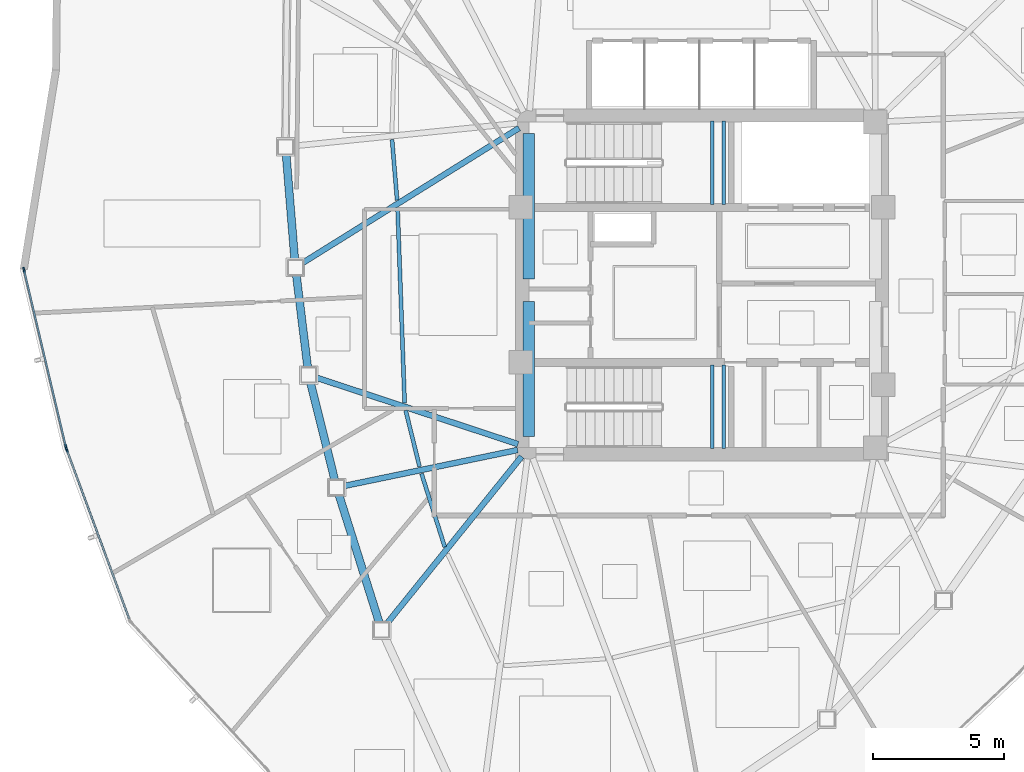
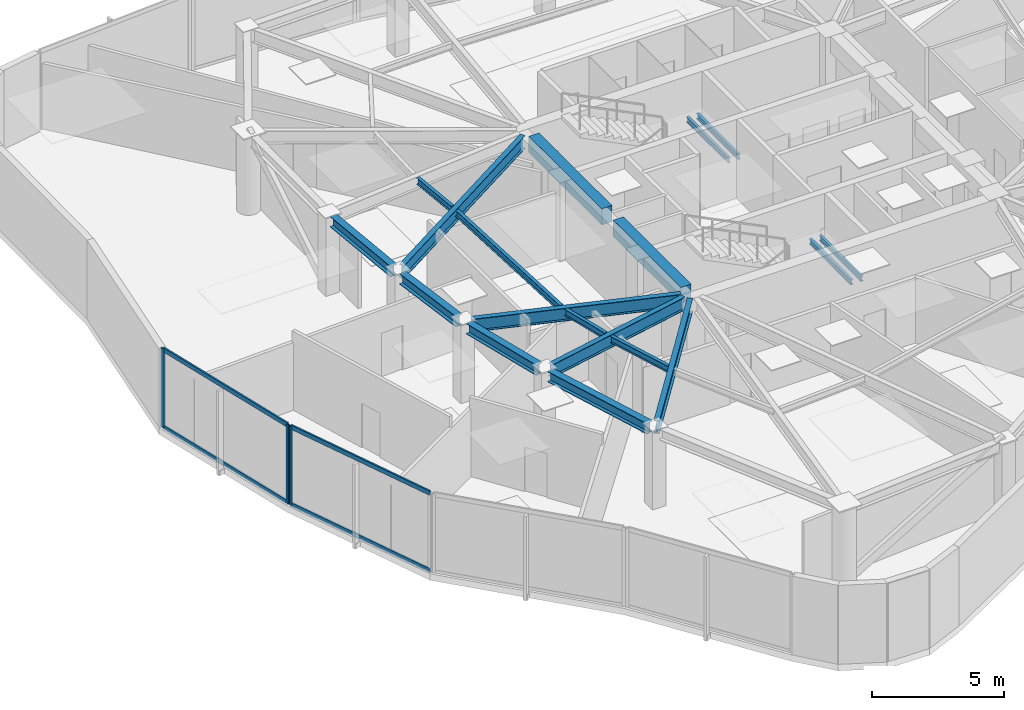
# One storey, part 3 of 13: 18 beams, 7 members, 2 elements without a shape of their own.
"""IFC4 building model written with IfcOpenShell, lengths in metres."""

from ifc_helpers import new_model, si_unit, direction, frame, origin, origin_2d, place, context, subcontext, project, spatial, rectangle, hollow_rectangle, i_section, extrude, source, transform, mapped, material, layer, layer_set, material_profile, profile_set, type_object, type_shapes, element, aggregate, save


model = new_model("IFC4")

# Units and contexts
model_context = context("Model", 3, precision=1e-05, world=origin(), true_north=direction((0.0, 1.0)))
body_context = subcontext(model_context, "Body", "Model", "MODEL_VIEW")
ifc_project = project(units=[si_unit("LENGTHUNIT", "METRE"), si_unit("AREAUNIT", "SQUARE_METRE"), si_unit("VOLUMEUNIT", "CUBIC_METRE"), si_unit("PLANEANGLEUNIT", "RADIAN"), si_unit("MASSUNIT", "GRAM", prefix="KILO")], contexts=[model_context])

# Site, building, storey
site_placement = place(None, origin())
site = spatial("IfcSite", under=ifc_project, at=site_placement, CompositionType="ELEMENT")
building_placement = place(site_placement, origin())
building = spatial("IfcBuilding", under=site, at=building_placement, Name="Tavelor Broadcast Tower", CompositionType="ELEMENT")
storey_placement = place(building_placement, frame((0.0, 0.0, 237.949951171875)))
storey = spatial("IfcBuildingStorey", under=building, at=storey_placement, Name="L56", CompositionType="ELEMENT", Elevation=237.949951171875)

# Beams
ifc_material_1 = material(Name="Concrete C40/50", Category="concrete")
ifc_material_profile_1 = material_profile(ifc_material_1, rectangle(XDim=0.449951171875, YDim=0.75, at=origin_2d()), Name="RC 450x750")
ifc_profile_set_1 = profile_set([ifc_material_profile_1], Name="Concrete C40/50")
beam_type_1 = type_object("IfcBeamType", Name="Basement Core Trim Beam 450x750", PredefinedType="BEAM", material=ifc_profile_set_1)
beam_1_placement = place(storey_placement, frame((43.39990234375, 45.23193359375, 3.275146484375), z_axis=(0.0, 1.0, 0.0), x_axis=(-1.0, 0.0, 0.0)))
element("IfcBeam", 1, at=beam_1_placement, inside=storey, type_object=beam_type_1, Name="L56 Core West-N Tie Girder", PredefinedType="BEAM", context=body_context, shape_type="SweptSolid", body=[
    extrude(rectangle(XDim=0.449951171875, YDim=0.75, at=origin_2d()), origin(), (0.0, 0.0, 1.0), 5.5361328125),
])
beam_2_placement = place(storey_placement, frame((43.39990234375, 39.23193359375, 3.275146484375), z_axis=(0.0, 1.0, 0.0), x_axis=(-1.0, 0.0, 0.0)))
element("IfcBeam", 2, at=beam_2_placement, inside=storey, type_object=beam_type_1, Name="L56 Core West-S Tie Girder", PredefinedType="BEAM", context=body_context, shape_type="SweptSolid", body=[
    extrude(rectangle(XDim=0.449951171875, YDim=0.75, at=origin_2d()), origin(), (0.0, 0.0, 1.0), 5.135986328125),
])
ifc_material_2 = material(Name="Steel S355", Category="steel")
ifc_material_profile_2 = material_profile(ifc_material_2, i_section(OverallWidth=0.14990234375, OverallDepth=0.300048828125, WebThickness=0.007080078125, FlangeThickness=0.0107421875, at=origin_2d()), Name="IPE 300")
ifc_profile_set_2 = profile_set([ifc_material_profile_2], Name="Steel S355")
beam_type_2 = type_object("IfcBeamType", Name="Composite Floor Joist T5 IPE 300", PredefinedType="JOIST", material=ifc_profile_set_2)
beam_3_placement = place(storey_placement, frame((38.19580078125, 50.529541015625, 3.5), z_axis=(0.082940684636, -0.996554485631, 0.0), x_axis=(0.996554485631, 0.082940684636, 0.0)))
element("IfcBeam", 3, at=beam_3_placement, inside=storey, type_object=beam_type_2, Name="L56 Secondary Composite Floor Joist 02", PredefinedType="JOIST", context=body_context, shape_type="SweptSolid", body=[
    extrude(i_section(OverallWidth=0.14990234375, OverallDepth=0.300048828125, WebThickness=0.007080078125, FlangeThickness=0.0107421875, at=origin_2d()), origin(), (0.0, 0.0, 1.0), 2.313720703125),
])
beam_4_placement = place(storey_placement, frame((38.404296875, 47.945556640625, 3.5), z_axis=(0.036223057878, -0.999343729694, 0.0), x_axis=(0.999343729694, 0.036223057878, 0.0)))
element("IfcBeam", 4, at=beam_4_placement, inside=storey, type_object=beam_type_2, Name="L56 Secondary Composite Floor Joist 03", PredefinedType="JOIST", context=body_context, shape_type="SweptSolid", body=[
    extrude(i_section(OverallWidth=0.14990234375, OverallDepth=0.300048828125, WebThickness=0.007080078125, FlangeThickness=0.0107421875, at=origin_2d()), origin(), (0.0, 0.0, 1.0), 7.454345703125),
])
beam_5_placement = place(storey_placement, frame((38.712646484375, 40.221435546875, 3.5), z_axis=(0.239592093356, -0.970873642037, 0.0), x_axis=(0.970873642037, 0.239592093356, 0.0)))
element("IfcBeam", 5, at=beam_5_placement, inside=storey, type_object=beam_type_2, Name="L56 Secondary Composite Floor Joist 04", PredefinedType="JOIST", context=body_context, shape_type="SweptSolid", body=[
    extrude(i_section(OverallWidth=0.14990234375, OverallDepth=0.300048828125, WebThickness=0.007080078125, FlangeThickness=0.0107421875, at=origin_2d()), origin(), (0.0, 0.0, 1.0), 2.2060546875),
])
beam_6_placement = place(storey_placement, frame((39.316650390625, 37.811279296875, 3.5), z_axis=(0.302412009178, -0.953177306017, 0.0), x_axis=(0.953177306017, 0.302412009178, 0.0)))
element("IfcBeam", 6, at=beam_6_placement, inside=storey, type_object=beam_type_2, Name="L56 Secondary Composite Floor Joist 05", PredefinedType="JOIST", context=body_context, shape_type="SweptSolid", body=[
    extrude(i_section(OverallWidth=0.14990234375, OverallDepth=0.300048828125, WebThickness=0.007080078125, FlangeThickness=0.0107421875, at=origin_2d()), origin(), (0.0, 0.0, 1.0), 2.92822265625),
])
ifc_material_profile_3 = material_profile(ifc_material_2, i_section(OverallWidth=0.300048828125, OverallDepth=0.489990234375, WebThickness=0.011962890625, FlangeThickness=0.02294921875, at=origin_2d()), Name="HEA 500")
ifc_profile_set_3 = profile_set([ifc_material_profile_3], Name="Steel S355")
beam_type_3 = type_object("IfcBeamType", Name="Perimeter Spandrel Beam T5 HEA 500", PredefinedType="SPANDREL", material=ifc_profile_set_3)
beam_7_placement = place(storey_placement, frame((34.16064453125, 49.968994140625, 3.405029296875), z_axis=(0.081762275835, -0.996651860105, 0.0), x_axis=(0.996651860105, 0.081762275835, 0.0)))
element("IfcBeam", 7, at=beam_7_placement, inside=storey, type_object=beam_type_3, Name="L56 Framed-Tube Ring Spandrel 02", PredefinedType="SPANDREL", context=body_context, shape_type="SweptSolid", body=[
    extrude(i_section(OverallWidth=0.300048828125, OverallDepth=0.489990234375, WebThickness=0.011962890625, FlangeThickness=0.02294921875, at=origin_2d()), origin(), (0.0, 0.0, 1.0), 4.031005859375),
])
beam_8_placement = place(storey_placement, frame((34.548828125, 45.378662109375, 3.405029296875), z_axis=(0.122285270418, -0.99249499376, 0.0), x_axis=(0.99249499376, 0.122285270418, 0.0)))
element("IfcBeam", 8, at=beam_8_placement, inside=storey, type_object=beam_type_3, Name="L56 Framed-Tube Ring Spandrel 03", PredefinedType="SPANDREL", context=body_context, shape_type="SweptSolid", body=[
    extrude(i_section(OverallWidth=0.300048828125, OverallDepth=0.489990234375, WebThickness=0.011962890625, FlangeThickness=0.02294921875, at=origin_2d()), origin(), (0.0, 0.0, 1.0), 3.5556640625),
])
beam_9_placement = place(storey_placement, frame((35.08837890625, 41.284423828125, 3.405029296875), z_axis=(0.24127750007, -0.970456164883, 0.0), x_axis=(0.970456164883, 0.24127750007, 0.0)))
element("IfcBeam", 9, at=beam_9_placement, inside=storey, type_object=beam_type_3, Name="L56 Framed-Tube Ring Spandrel 04", PredefinedType="SPANDREL", context=body_context, shape_type="SweptSolid", body=[
    extrude(i_section(OverallWidth=0.300048828125, OverallDepth=0.489990234375, WebThickness=0.011962890625, FlangeThickness=0.02294921875, at=origin_2d()), origin(), (0.0, 0.0, 1.0), 3.8359375),
])
beam_10_placement = place(storey_placement, frame((36.170166015625, 37.0078125, 3.405029296875), z_axis=(0.300957826527, -0.95363745032, 0.0), x_axis=(0.95363745032, 0.300957826527, 0.0)))
element("IfcBeam", 10, at=beam_10_placement, inside=storey, type_object=beam_type_3, Name="L56 Framed-Tube Ring Spandrel 05", PredefinedType="SPANDREL", context=body_context, shape_type="SweptSolid", body=[
    extrude(i_section(OverallWidth=0.300048828125, OverallDepth=0.489990234375, WebThickness=0.011962890625, FlangeThickness=0.02294921875, at=origin_2d()), origin(), (0.0, 0.0, 1.0), 5.1171875),
])
ifc_material_profile_4 = material_profile(ifc_material_2, i_section(OverallWidth=0.219970703125, OverallDepth=0.60009765625, WebThickness=0.011962890625, FlangeThickness=0.01904296875, at=origin_2d()), Name="IPE 600")
ifc_profile_set_4 = profile_set([ifc_material_profile_4], Name="Steel S355")
beam_type_4 = type_object("IfcBeamType", Name="Radial Floor Girder T5 IPE 600", PredefinedType="BEAM", material=ifc_profile_set_4)
beam_11_placement = place(storey_placement, frame((43.033203125, 50.9716796875, 3.35009765625), z_axis=(-0.848782406462, -0.528742306309, 0.0), x_axis=(0.528742306309, -0.848782406462, 0.0)))
element("IfcBeam", 11, at=beam_11_placement, inside=storey, type_object=beam_type_4, Name="L56 Radial Primary Floor Girder 03", PredefinedType="BEAM", context=body_context, shape_type="SweptSolid", body=[
    extrude(i_section(OverallWidth=0.219970703125, OverallDepth=0.60009765625, WebThickness=0.011962890625, FlangeThickness=0.01904296875, at=origin_2d()), origin(), (0.0, 0.0, 1.0), 9.7490234375),
])
beam_12_placement = place(storey_placement, frame((42.98974609375, 38.935302734375, 3.35009765625), z_axis=(-0.949693529109, 0.313180779692, 0.0), x_axis=(-0.313180779692, -0.949693529109, 0.0)))
element("IfcBeam", 12, at=beam_12_placement, inside=storey, type_object=beam_type_4, Name="L56 Radial Primary Floor Girder 04", PredefinedType="BEAM", context=body_context, shape_type="SweptSolid", body=[
    extrude(i_section(OverallWidth=0.219970703125, OverallDepth=0.60009765625, WebThickness=0.011962890625, FlangeThickness=0.01904296875, at=origin_2d()), origin(), (0.0, 0.0, 1.0), 8.10498046875),
])
beam_13_placement = place(storey_placement, frame((42.97705078125, 38.71240234375, 3.35009765625), z_axis=(-0.979152429868, -0.203126854658, 0.0), x_axis=(0.203126854658, -0.979152429868, 0.0)))
element("IfcBeam", 13, at=beam_13_placement, inside=storey, type_object=beam_type_4, Name="L56 Radial Primary Floor Girder 05", PredefinedType="BEAM", context=body_context, shape_type="SweptSolid", body=[
    extrude(i_section(OverallWidth=0.219970703125, OverallDepth=0.60009765625, WebThickness=0.011962890625, FlangeThickness=0.01904296875, at=origin_2d()), origin(), (0.0, 0.0, 1.0), 6.75244140625),
])
beam_14_placement = place(storey_placement, frame((43.12890625, 38.463623046875, 3.35009765625), z_axis=(-0.627821660469, -0.778357220463, 0.0), x_axis=(0.778357220463, -0.627821660469, 0.0)))
element("IfcBeam", 14, at=beam_14_placement, inside=storey, type_object=beam_type_4, Name="L56 Radial Primary Floor Girder 06", PredefinedType="BEAM", context=body_context, shape_type="SweptSolid", body=[
    extrude(i_section(OverallWidth=0.219970703125, OverallDepth=0.60009765625, WebThickness=0.011962890625, FlangeThickness=0.01904296875, at=origin_2d()), origin(), (0.0, 0.0, 1.0), 8.204833984375),
])
ifc_material_profile_5 = material_profile(ifc_material_2, i_section(OverallWidth=0.1201171875, OverallDepth=0.239990234375, WebThickness=0.006103515625, FlangeThickness=0.009765625, at=origin_2d()), Name="IPE 240")
ifc_profile_set_5 = profile_set([ifc_material_profile_5], Name="Steel S355")
beam_type_5 = type_object("IfcBeamType", Name="Stairwell Landing Support Trimmer Beam IPE240", PredefinedType="BEAM", material=ifc_profile_set_5)
for number, where, z_axis, x_axis, name in (
    (15, (50.385009765625, 48.06005859375, 1.66015625), (0.0, 1.0, 0.0), (-1.0, 0.0, 0.0), "L56 Stair Landing Support Beam 153"),
    (16, (50.824951171875, 48.06005859375, 1.66015625), (0.0, 1.0, 0.0), (-1.0, 0.0, 0.0), "L56 Stair Landing Support Beam 154"),
    (17, (50.385009765625, 38.760009765625, 1.66015625), (0.0, 1.0, 0.0), (-1.0, 0.0, 0.0), "L56 Stair Landing Support Beam 367"),
    (18, (50.824951171875, 38.760009765625, 1.66015625), (0.0, 1.0, 0.0), (-1.0, 0.0, 0.0), "L56 Stair Landing Support Beam 368"),
):
    element("IfcBeam", number, at=place(storey_placement, frame(where, z_axis=z_axis, x_axis=x_axis)), inside=storey, type_object=beam_type_5, Name=name, PredefinedType="BEAM", context=body_context, shape_type="SweptSolid", body=[
        extrude(i_section(OverallWidth=0.1201171875, OverallDepth=0.239990234375, WebThickness=0.006103515625, FlangeThickness=0.009765625, at=origin_2d()), origin(), (0.0, 0.0, 1.0), 3.179931640625),
    ])

# Curtain wall, members
ifc_material_3 = material(Name="Architectural Anodized Aluminium", Category="aluminium")
ifc_layer = layer(ifc_material_3, 0.199951171875)
ifc_layer_set = layer_set([ifc_layer], Name="Architectural Anodized Aluminium")
curtain_wall_type = type_object("IfcCurtainWallType", Name="Tower High-Zone Triple-Glazed Curtain Wall CW04", PredefinedType="NOTDEFINED", material=ifc_layer_set)
curtain_wall_1_placement = place(storey_placement, origin())
curtain_wall_1 = element("IfcCurtainWall", 19, at=curtain_wall_1_placement, inside=storey, type_object=curtain_wall_type, Name="L56 Curtain Wall CW04 Run 601", PredefinedType="NOTDEFINED")
ifc_material_profile_6 = material_profile(ifc_material_3, hollow_rectangle(XDim=0.070068359375, YDim=0.199951171875, WallThickness=0.02197265625, at=origin_2d()), Name="RHS 70x200x22")
ifc_profile_set_6 = profile_set([ifc_material_profile_6], Name="Architectural Anodized Aluminium")
member_type_1 = type_object("IfcMemberType", Name="CW04 Extruded Aluminium Mullion 70x200", PredefinedType="MULLION", material=ifc_profile_set_6)
shared_shape_1 = source(origin(), body_context, "Body", "SweptSolid", [
    extrude(hollow_rectangle(XDim=0.070068359375, YDim=0.199951171875, WallThickness=0.02197265625, at=origin_2d()), origin(), (0.0, 0.0, 1.0), 3.650146484375),
])
type_shapes(member_type_1, [shared_shape_1])
member_1_placement = place(storey_placement, frame((24.17724609375, 45.568115234375, 0.0), z_axis=(0.0, 0.0, 1.0), x_axis=(0.973081130598, 0.230462824062, 0.0)))
member_1 = element("IfcMember", 20, at=member_1_placement, type_object=member_type_1, Name="CW04 mullion 1", PredefinedType="MULLION", context=body_context, shape_type="MappedRepresentation", body=[
    mapped(shared_shape_1, transform((0.0, 0.0, 0.0), scale=1.0)),
])
member_2_placement = place(storey_placement, frame((25.7744140625, 38.824951171875, 0.0), z_axis=(0.0, 0.0, 1.0), x_axis=(0.973081130598, 0.230462824062, 0.0)))
member_2 = element("IfcMember", 21, at=member_2_placement, type_object=member_type_1, Name="CW04 mullion 2", PredefinedType="MULLION", context=body_context, shape_type="MappedRepresentation", body=[
    mapped(shared_shape_1, transform((0.0, 0.0, 0.0), scale=1.0)),
])

# Curtain wall, member
curtain_wall_2_placement = place(storey_placement, origin())
curtain_wall_2 = element("IfcCurtainWall", 22, at=curtain_wall_2_placement, inside=storey, type_object=curtain_wall_type, Name="L56 Curtain Wall CW04 Run 602", PredefinedType="NOTDEFINED")
member_3_placement = place(storey_placement, frame((25.80322265625, 38.729248046875, 0.0), z_axis=(0.0, 0.0, 1.0), x_axis=(0.938040637835, 0.346525268588, 0.0)))
member_3 = element("IfcMember", 23, at=member_3_placement, type_object=member_type_1, Name="CW04 mullion 1", PredefinedType="MULLION", context=body_context, shape_type="MappedRepresentation", body=[
    mapped(shared_shape_1, transform((0.0, 0.0, 0.0), scale=1.0)),
])

# Member
ifc_material_profile_7 = material_profile(ifc_material_3, hollow_rectangle(XDim=0.070068359375, YDim=0.199951171875, WallThickness=0.02197265625, at=origin_2d()), Name="RHS 70x200x22")
ifc_profile_set_7 = profile_set([ifc_material_profile_7], Name="Architectural Anodized Aluminium")
member_type_2 = type_object("IfcMemberType", Name="CW04 Extruded Aluminium Transom 70x200", PredefinedType="USERDEFINED", material=ifc_profile_set_7)
shared_shape_2 = source(origin(), body_context, "Body", "SweptSolid", [
    extrude(hollow_rectangle(XDim=0.070068359375, YDim=0.199951171875, WallThickness=0.02197265625, at=origin_2d()), origin(), (0.0, 0.0, 1.0), 6.85986328125),
])
member_4_placement = place(storey_placement, frame((24.185546875, 45.5341796875, 0.03515625), z_axis=(0.230441552885, -0.97308616818, 0.0), x_axis=(0.97308616818, 0.230441552885, 0.0)))
member_4 = element("IfcMember", 24, at=member_4_placement, type_object=member_type_2, Name="CW04 transom 1.1", ObjectType="TRANSOM", PredefinedType="USERDEFINED", context=body_context, shape_type="MappedRepresentation", body=[
    mapped(shared_shape_2, transform((0.0, 0.0, 0.0), scale=1.0)),
])

member_5_placement = place(storey_placement, frame((24.185546875, 45.5341796875, 3.614990234375), z_axis=(0.230441552885, -0.97308616818, 0.0), x_axis=(0.97308616818, 0.230441552885, 0.0)))
member_5 = element("IfcMember", 25, at=member_5_placement, type_object=member_type_2, Name="CW04 transom 1.2", ObjectType="TRANSOM", PredefinedType="USERDEFINED", context=body_context, shape_type="MappedRepresentation", body=[
    mapped(shared_shape_2, transform((0.0, 0.0, 0.0), scale=1.0)),
])

aggregate(curtain_wall_1, [member_1, member_2, member_4, member_5])

shared_shape_3 = source(origin(), body_context, "Body", "SweptSolid", [
    extrude(hollow_rectangle(XDim=0.070068359375, YDim=0.199951171875, WallThickness=0.02197265625, at=origin_2d()), origin(), (0.0, 0.0, 1.0), 6.8447265625),
])
type_shapes(member_type_2, [shared_shape_2, shared_shape_3])
member_6_placement = place(storey_placement, frame((25.8154296875, 38.696533203125, 0.03515625), z_axis=(0.346518468425, -0.938043149882, 0.0), x_axis=(0.938043149882, 0.346518468425, 0.0)))
member_6 = element("IfcMember", 26, at=member_6_placement, type_object=member_type_2, Name="CW04 transom 1.1", ObjectType="TRANSOM", PredefinedType="USERDEFINED", context=body_context, shape_type="MappedRepresentation", body=[
    mapped(shared_shape_3, transform((0.0, 0.0, 0.0), scale=1.0)),
])

member_7_placement = place(storey_placement, frame((25.8154296875, 38.696533203125, 3.614990234375), z_axis=(0.346518468425, -0.938043149882, 0.0), x_axis=(0.938043149882, 0.346518468425, 0.0)))
member_7 = element("IfcMember", 27, at=member_7_placement, type_object=member_type_2, Name="CW04 transom 1.2", ObjectType="TRANSOM", PredefinedType="USERDEFINED", context=body_context, shape_type="MappedRepresentation", body=[
    mapped(shared_shape_3, transform((0.0, 0.0, 0.0), scale=1.0)),
])

aggregate(curtain_wall_2, [member_3, member_6, member_7])

save(model, "model.ifc")
